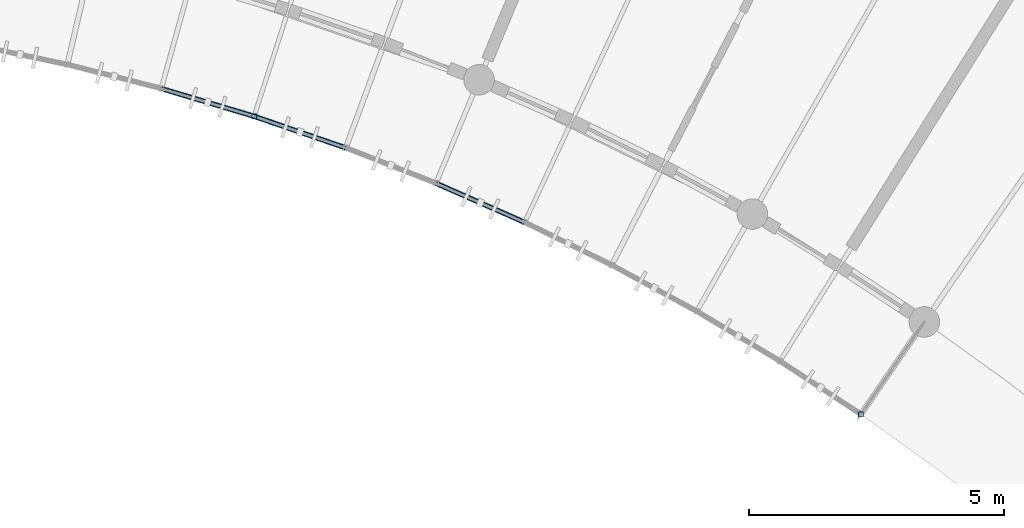
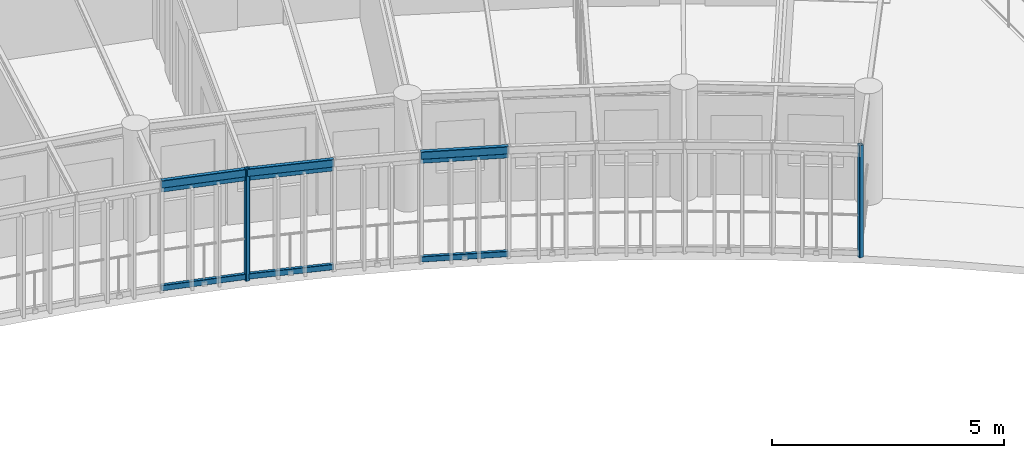
# One storey, part 37 of 101: 8 members, 3 beams.
"""IFC4 building model written with IfcOpenShell, lengths in metres."""

from ifc_helpers import new_model, si_unit, direction, frame, origin, origin_2d, place, context, subcontext, project, spatial, hollow_rectangle, extrude, material, material_profile, profile_set, type_object, element, save


model = new_model("IFC4")

# Units and contexts
model_context = context("Model", 3, precision=1e-05, world=origin(), true_north=direction((0.0, 1.0)))
body_context = subcontext(model_context, "Body", "Model", "MODEL_VIEW")
ifc_project = project(units=[si_unit("LENGTHUNIT", "METRE"), si_unit("AREAUNIT", "SQUARE_METRE"), si_unit("VOLUMEUNIT", "CUBIC_METRE"), si_unit("PLANEANGLEUNIT", "RADIAN"), si_unit("MASSUNIT", "GRAM", prefix="KILO"), si_unit("POWERUNIT", "WATT"), si_unit("THERMODYNAMICTEMPERATUREUNIT", "KELVIN")], contexts=[model_context])

# Site, building, storey
site_placement = place(None, origin())
site = spatial("IfcSite", under=ifc_project, at=site_placement, CompositionType="ELEMENT")
building_placement = place(site_placement, origin())
building = spatial("IfcBuilding", under=site, at=building_placement, Name="Ruvembo Vaulted Housing Court", CompositionType="ELEMENT")
storey_placement = place(building_placement, frame((0.0, 0.0, 17.300048828125)))
storey = spatial("IfcBuildingStorey", under=building, at=storey_placement, Name="L05", CompositionType="ELEMENT", Elevation=17.300048828125)

# Beams
ifc_material = material(Name="Steel S355J2", Category="steel")
ifc_material_profile_1 = material_profile(ifc_material, hollow_rectangle(XDim=0.10009765625, YDim=0.199951171875, WallThickness=0.008056640625, InnerFilletRadius=0.008056640625, OuterFilletRadius=0.01611328125, at=origin_2d()), Name="RHS 200x100x8")
ifc_profile_set_1 = profile_set([ifc_material_profile_1], Name="Steel S355J2")
beam_type = type_object("IfcBeamType", Name="BM-ST-RHS200", PredefinedType="SPANDREL", material=ifc_profile_set_1)
beam_1_placement = place(storey_placement, frame((129.208251953125, 94.142822265625, 2.83203125), z_axis=(0.958108609181, -0.286405120439, 0.0), x_axis=(0.286405120439, 0.958108609181, 0.0)))
element("IfcBeam", 1, at=beam_1_placement, inside=storey, type_object=beam_type, Name="Scoop SC3 L05 Balcony Edge Spandrel 21", PredefinedType="SPANDREL", context=body_context, shape_type="SweptSolid", body=[
    extrude(hollow_rectangle(XDim=0.10009765625, YDim=0.199951171875, WallThickness=0.008056640625, InnerFilletRadius=0.008056640625, OuterFilletRadius=0.01611328125, at=origin_2d()), origin(), (0.0, 0.0, 1.0), 1.90087890625),
])
beam_2_placement = place(storey_placement, frame((131.029541015625, 93.598388671875, 2.83203125), z_axis=(0.945357969834, -0.326034214264, 0.0), x_axis=(0.326034214264, 0.945357969834, 0.0)))
element("IfcBeam", 2, at=beam_2_placement, inside=storey, type_object=beam_type, Name="Scoop SC3 L05 Balcony Edge Spandrel 22", PredefinedType="SPANDREL", context=body_context, shape_type="SweptSolid", body=[
    extrude(hollow_rectangle(XDim=0.10009765625, YDim=0.199951171875, WallThickness=0.008056640625, InnerFilletRadius=0.008056640625, OuterFilletRadius=0.01611328125, at=origin_2d()), origin(), (0.0, 0.0, 1.0), 1.9013671875),
])
beam_3_placement = place(storey_placement, frame((134.5966796875, 92.28466796875, 2.83203125), z_axis=(0.91507815309, -0.403276547467, 0.0), x_axis=(0.403276547467, 0.91507815309, 0.0)))
element("IfcBeam", 3, at=beam_3_placement, inside=storey, type_object=beam_type, Name="Scoop SC3 L05 Balcony Edge Spandrel 24", PredefinedType="SPANDREL", context=body_context, shape_type="SweptSolid", body=[
    extrude(hollow_rectangle(XDim=0.10009765625, YDim=0.199951171875, WallThickness=0.008056640625, InnerFilletRadius=0.008056640625, OuterFilletRadius=0.01611328125, at=origin_2d()), origin(), (0.0, 0.0, 1.0), 1.90087890625),
])

# Members
ifc_material_profile_2 = material_profile(ifc_material, hollow_rectangle(XDim=0.06005859375, YDim=0.1201171875, WallThickness=0.0048828125, InnerFilletRadius=0.0048828125, OuterFilletRadius=0.010009765625, at=origin_2d()), Name="RHS 120x60x5")
ifc_profile_set_2 = profile_set([ifc_material_profile_2], Name="Steel S355J2")
member_type_1 = type_object("IfcMemberType", Name="MEM-CAR-RHS120", PredefinedType="CHORD", material=ifc_profile_set_2)
member_1_placement = place(storey_placement, frame((129.208251953125, 94.142822265625, 2.675048828125), z_axis=(0.958108609181, -0.286405120439, 0.0), x_axis=(0.286405120439, 0.958108609181, 0.0)))
element("IfcMember", 4, at=member_1_placement, inside=storey, type_object=member_type_1, Name="Scoop SC3 L05 Upper Louvre Carrier Rail 21", PredefinedType="CHORD", context=body_context, shape_type="SweptSolid", body=[
    extrude(hollow_rectangle(XDim=0.06005859375, YDim=0.1201171875, WallThickness=0.0048828125, InnerFilletRadius=0.0048828125, OuterFilletRadius=0.010009765625, at=origin_2d()), origin(), (0.0, 0.0, 1.0), 1.90087890625),
])
member_2_placement = place(storey_placement, frame((131.029541015625, 93.598388671875, 2.675048828125), z_axis=(0.945357969834, -0.326034214264, 0.0), x_axis=(0.326034214264, 0.945357969834, 0.0)))
element("IfcMember", 5, at=member_2_placement, inside=storey, type_object=member_type_1, Name="Scoop SC3 L05 Upper Louvre Carrier Rail 22", PredefinedType="CHORD", context=body_context, shape_type="SweptSolid", body=[
    extrude(hollow_rectangle(XDim=0.06005859375, YDim=0.1201171875, WallThickness=0.0048828125, InnerFilletRadius=0.0048828125, OuterFilletRadius=0.010009765625, at=origin_2d()), origin(), (0.0, 0.0, 1.0), 1.9013671875),
])
member_3_placement = place(storey_placement, frame((134.5966796875, 92.28466796875, 2.675048828125), z_axis=(0.91507815309, -0.403276547467, 0.0), x_axis=(0.403276547467, 0.91507815309, 0.0)))
element("IfcMember", 6, at=member_3_placement, inside=storey, type_object=member_type_1, Name="Scoop SC3 L05 Upper Louvre Carrier Rail 24", PredefinedType="CHORD", context=body_context, shape_type="SweptSolid", body=[
    extrude(hollow_rectangle(XDim=0.06005859375, YDim=0.1201171875, WallThickness=0.0048828125, InnerFilletRadius=0.0048828125, OuterFilletRadius=0.010009765625, at=origin_2d()), origin(), (0.0, 0.0, 1.0), 1.90087890625),
])
ifc_material_profile_3 = material_profile(ifc_material, hollow_rectangle(XDim=0.080078125, YDim=0.14990234375, WallThickness=0.00634765625, InnerFilletRadius=0.00634765625, OuterFilletRadius=0.0126953125, at=origin_2d()), Name="RHS 150x80x6.3")
ifc_profile_set_3 = profile_set([ifc_material_profile_3], Name="Steel S355J2")
member_type_2 = type_object("IfcMemberType", Name="MEM-CAR-RHS150", PredefinedType="CHORD", material=ifc_profile_set_3)
member_4_placement = place(storey_placement, frame((129.208251953125, 94.142822265625, 0.094970703125), z_axis=(0.958108609181, -0.286405120439, 0.0), x_axis=(0.286405120439, 0.958108609181, 0.0)))
element("IfcMember", 7, at=member_4_placement, inside=storey, type_object=member_type_2, Name="Scoop SC3 L05 Lower Louvre Carrier Rail 21", PredefinedType="CHORD", context=body_context, shape_type="SweptSolid", body=[
    extrude(hollow_rectangle(XDim=0.080078125, YDim=0.14990234375, WallThickness=0.00634765625, InnerFilletRadius=0.00634765625, OuterFilletRadius=0.0126953125, at=origin_2d()), origin(), (0.0, 0.0, 1.0), 1.90087890625),
])
member_5_placement = place(storey_placement, frame((131.029541015625, 93.598388671875, 0.094970703125), z_axis=(0.945357969834, -0.326034214264, 0.0), x_axis=(0.326034214264, 0.945357969834, 0.0)))
element("IfcMember", 8, at=member_5_placement, inside=storey, type_object=member_type_2, Name="Scoop SC3 L05 Lower Louvre Carrier Rail 22", PredefinedType="CHORD", context=body_context, shape_type="SweptSolid", body=[
    extrude(hollow_rectangle(XDim=0.080078125, YDim=0.14990234375, WallThickness=0.00634765625, InnerFilletRadius=0.00634765625, OuterFilletRadius=0.0126953125, at=origin_2d()), origin(), (0.0, 0.0, 1.0), 1.9013671875),
])
member_6_placement = place(storey_placement, frame((134.5966796875, 92.28466796875, 0.094970703125), z_axis=(0.91507815309, -0.403276547467, 0.0), x_axis=(0.403276547467, 0.91507815309, 0.0)))
element("IfcMember", 9, at=member_6_placement, inside=storey, type_object=member_type_2, Name="Scoop SC3 L05 Lower Louvre Carrier Rail 24", PredefinedType="CHORD", context=body_context, shape_type="SweptSolid", body=[
    extrude(hollow_rectangle(XDim=0.080078125, YDim=0.14990234375, WallThickness=0.00634765625, InnerFilletRadius=0.00634765625, OuterFilletRadius=0.0126953125, at=origin_2d()), origin(), (0.0, 0.0, 1.0), 1.90087890625),
])
ifc_material_profile_4 = material_profile(ifc_material, hollow_rectangle(XDim=0.10009765625, YDim=0.10009765625, WallThickness=0.00634765625, InnerFilletRadius=0.00634765625, OuterFilletRadius=0.0126953125, at=origin_2d()), Name="SHS 100x100x6.3")
ifc_profile_set_4 = profile_set([ifc_material_profile_4], Name="Steel S355J2")
member_type_3 = type_object("IfcMemberType", Name="MEM-FRM-SHS100", PredefinedType="STRUT", material=ifc_profile_set_4)
for number, where, z_axis, x_axis, name in (
    (10, (131.029541015625, 93.598388671875, -0.01513671875), (0.0, 0.0, 1.0), (1.0, 0.0, 0.0), "Scoop SC3 L05 Louvre Frame Post 22"),
    (11, (142.9326171875, 87.751220703125, -0.01513671875), (0.0, 0.0, 1.0), (1.0, 0.0, 0.0), "Scoop SC3 L05 Louvre End Post"),
):
    element("IfcMember", number, at=place(storey_placement, frame(where, z_axis=z_axis, x_axis=x_axis)), inside=storey, type_object=member_type_3, Name=name, PredefinedType="STRUT", context=body_context, shape_type="SweptSolid", body=[
        extrude(hollow_rectangle(XDim=0.10009765625, YDim=0.10009765625, WallThickness=0.00634765625, InnerFilletRadius=0.00634765625, OuterFilletRadius=0.0126953125, at=origin_2d()), origin(), (0.0, 0.0, 1.0), 2.953125),
    ])

save(model, "model.ifc")
